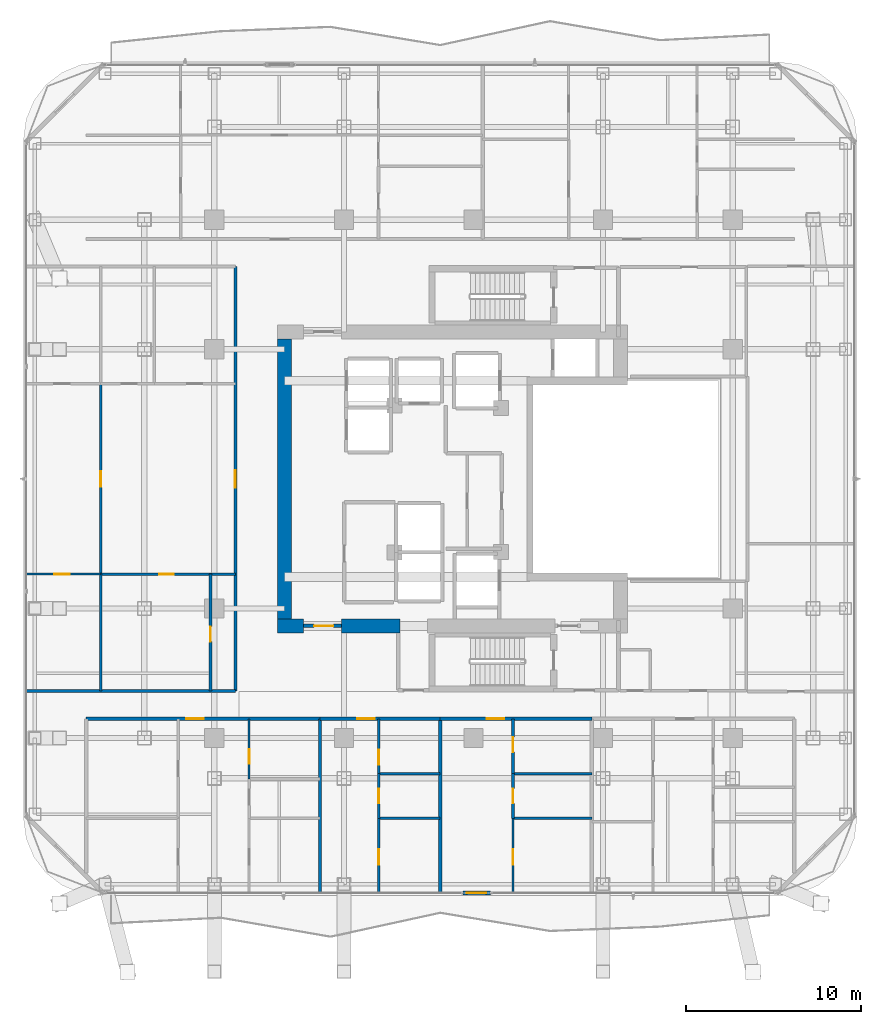
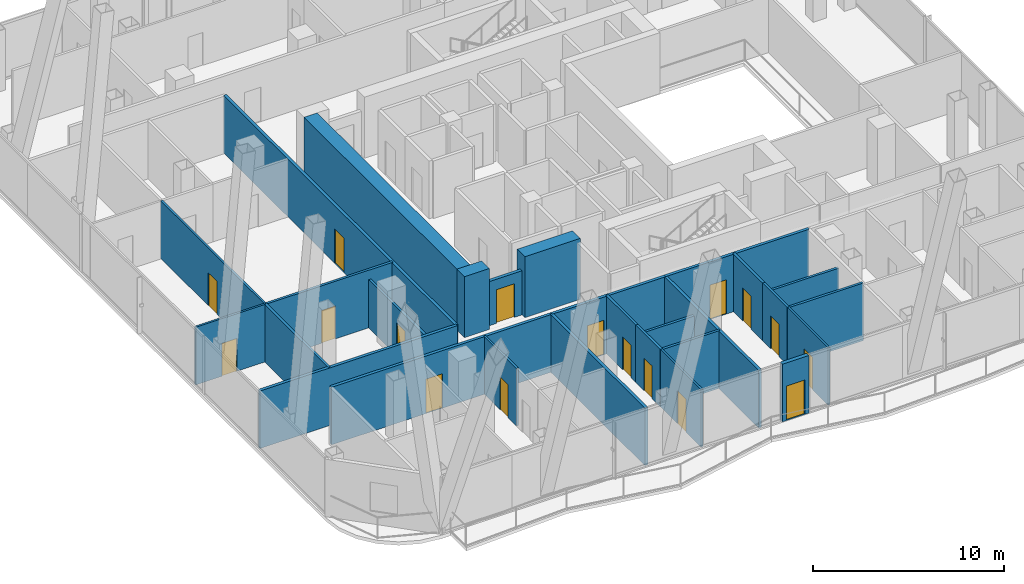
# One storey, part 23 of 34: 28 walls, 17 doors, 17 openings.
"""IFC4 building model written with IfcOpenShell, lengths in metres."""

from ifc_helpers import new_model, si_unit, direction, frame, frame_2d, origin, place, context, subcontext, project, spatial, rectangle, extrude, material, layer, layer_set, type_object, element, fill, save


model = new_model("IFC4")

# Units and contexts
model_context = context("Model", 3, precision=1e-05, world=origin(), true_north=direction((0.0, 1.0)))
body_context = subcontext(model_context, "Body", "Model", "MODEL_VIEW")
ifc_project = project(units=[si_unit("LENGTHUNIT", "METRE"), si_unit("AREAUNIT", "SQUARE_METRE"), si_unit("VOLUMEUNIT", "CUBIC_METRE"), si_unit("PLANEANGLEUNIT", "RADIAN"), si_unit("MASSUNIT", "GRAM", prefix="KILO")], contexts=[model_context])

# Site, building, storey
site_placement = place(None, origin())
site = spatial("IfcSite", under=ifc_project, at=site_placement, CompositionType="ELEMENT")
building_placement = place(site_placement, origin())
building = spatial("IfcBuilding", under=site, at=building_placement, Name="Khorvyn Point Tower", CompositionType="ELEMENT")
storey_placement = place(building_placement, frame((0.0, 0.0, 175.800048828125)))
storey = spatial("IfcBuildingStorey", under=building, at=storey_placement, Name="L43", CompositionType="ELEMENT", Elevation=175.800048828125)

# Wall, opening, door
ifc_material_1 = material(Name="Double acoustic gypsum on twin steel stud", Category="steel")
ifc_layer_1 = layer(ifc_material_1, 0.179931640625)
ifc_layer_set_1 = layer_set([ifc_layer_1], Name="Acoustic Double-Stud Apartment Demising Wall 180")
wall_type_1 = type_object("IfcWallType", Name="Acoustic Double-Stud Apartment Demising Wall 180", PredefinedType="PARTITIONING", material=ifc_layer_set_1)
wall_1_placement = place(storey_placement, frame((-22.1201171875, -13.699951171875, 0.0), z_axis=(0.0, 0.0, 1.0), x_axis=(1.0, 0.0, 0.0)))
wall_1 = element("IfcWall", 1, at=wall_1_placement, inside=storey, type_object=wall_type_1, Name="Wall", PredefinedType="PARTITIONING", context=body_context, shape_type="SweptSolid", body=[
    extrude(rectangle(XDim=13.34521484375, YDim=0.179931640625, at=frame_2d((6.672607421875, 0.0))), origin(), (0.0, 0.0, 1.0), 3.679931640625),
])
opening_1_placement = place(wall_1_placement, frame((5.723876953125, 0.0, 0.0)))
opening_1 = element("IfcOpeningElement", 2, at=opening_1_placement, cuts=wall_1, Name="Opening ID-AP60", PredefinedType="OPENING", context=body_context, shape_type="SweptSolid", body=[
    extrude(rectangle(XDim=1.0, YDim=2.199951171875, at=frame_2d((0.5, 1.10009765625))), frame((0.0, 0.099853515625, 0.0), z_axis=(0.0, -1.0, 0.0), x_axis=(1.0, 0.0, 0.0)), (0.0, 0.0, 1.0), 0.199951171875),
])
ifc_material_2 = material(Name="Engineered hardwood fire-rated leaf", Category="wood")
door_type_1 = type_object("IfcDoorType", Name="Acoustic Solid-Core Timber Apartment Entrance Door 1000x2200", OperationType="NOTDEFINED", PredefinedType="DOOR", material=ifc_material_2)
door_1_placement = place(opening_1_placement, origin())
door_1 = element("IfcDoor", 3, at=door_1_placement, inside=storey, type_object=door_type_1, Name="Door", OperationType="SINGLE_SWING_RIGHT", OverallHeight=2.199951171875, OverallWidth=1.0, PredefinedType="DOOR", context=body_context, shape_type="SweptSolid", body=[
    extrude(rectangle(XDim=1.0, YDim=2.199951171875, at=frame_2d((0.5, 1.10009765625))), frame((0.0, 0.02490234375, 0.0), z_axis=(0.0, -1.0, 0.0), x_axis=(1.0, 0.0, 0.0)), (0.0, 0.0, 1.0), 0.050048828125),
])
fill(opening_1, door_1)

wall_2_placement = place(storey_placement, frame((-8.77490234375, -13.699951171875, 0.0), z_axis=(0.0, 0.0, 1.0), x_axis=(1.0, 0.0, 0.0)))
wall_2 = element("IfcWall", 4, at=wall_2_placement, inside=storey, type_object=wall_type_1, Name="Wall", PredefinedType="PARTITIONING", context=body_context, shape_type="SweptSolid", body=[
    extrude(rectangle(XDim=6.875, YDim=0.179931640625, at=frame_2d((3.4375, 0.0))), origin(), (0.0, 0.0, 1.0), 3.679931640625),
])
opening_2_placement = place(wall_2_placement, frame((2.131103515625, 0.0, 0.0)))
opening_2 = element("IfcOpeningElement", 5, at=opening_2_placement, cuts=wall_2, Name="Opening ID-AP60", PredefinedType="OPENING", context=body_context, shape_type="SweptSolid", body=[
    extrude(rectangle(XDim=1.0, YDim=2.199951171875, at=frame_2d((0.5, 1.10009765625))), frame((0.0, 0.099853515625, 0.0), z_axis=(0.0, -1.0, 0.0), x_axis=(1.0, 0.0, 0.0)), (0.0, 0.0, 1.0), 0.199951171875),
])
door_2_placement = place(opening_2_placement, origin())
door_2 = element("IfcDoor", 6, at=door_2_placement, inside=storey, type_object=door_type_1, Name="Door", OperationType="SINGLE_SWING_RIGHT", OverallHeight=2.199951171875, OverallWidth=1.0, PredefinedType="DOOR", context=body_context, shape_type="SweptSolid", body=[
    extrude(rectangle(XDim=1.0, YDim=2.199951171875, at=frame_2d((0.5, 1.10009765625))), frame((0.0, 0.02490234375, 0.0), z_axis=(0.0, -1.0, 0.0), x_axis=(1.0, 0.0, 0.0)), (0.0, 0.0, 1.0), 0.050048828125),
])
fill(opening_2, door_2)

wall_3_placement = place(storey_placement, frame((-1.89990234375, -13.699951171875, 0.0), z_axis=(0.0, 0.0, 1.0), x_axis=(1.0, 0.0, 0.0)))
wall_3 = element("IfcWall", 7, at=wall_3_placement, inside=storey, type_object=wall_type_1, Name="Wall", PredefinedType="PARTITIONING", context=body_context, shape_type="SweptSolid", body=[
    extrude(rectangle(XDim=8.65380859375, YDim=0.179931640625, at=frame_2d((4.326904296875, 0.0))), origin(), (0.0, 0.0, 1.0), 3.679931640625),
])
opening_3_placement = place(wall_3_placement, frame((2.664306640625, 0.0, 0.0)))
opening_3 = element("IfcOpeningElement", 8, at=opening_3_placement, cuts=wall_3, Name="Opening ID-AP60", PredefinedType="OPENING", context=body_context, shape_type="SweptSolid", body=[
    extrude(rectangle(XDim=1.0, YDim=2.199951171875, at=frame_2d((0.5, 1.10009765625))), frame((0.0, 0.099853515625, 0.0), z_axis=(0.0, -1.0, 0.0), x_axis=(1.0, 0.0, 0.0)), (0.0, 0.0, 1.0), 0.199951171875),
])
door_3_placement = place(opening_3_placement, origin())
door_3 = element("IfcDoor", 9, at=door_3_placement, inside=storey, type_object=door_type_1, Name="Door", OperationType="SINGLE_SWING_RIGHT", OverallHeight=2.199951171875, OverallWidth=1.0, PredefinedType="DOOR", context=body_context, shape_type="SweptSolid", body=[
    extrude(rectangle(XDim=1.0, YDim=2.199951171875, at=frame_2d((0.5, 1.10009765625))), frame((0.0, 0.02490234375, 0.0), z_axis=(0.0, -1.0, 0.0), x_axis=(1.0, 0.0, 0.0)), (0.0, 0.0, 1.0), 0.050048828125),
])
fill(opening_3, door_3)

wall_4_placement = place(storey_placement, frame((-13.60009765625, -12.1201171875, 0.0), z_axis=(0.0, 0.0, 1.0), x_axis=(0.0, 1.0, 0.0)))
wall_4 = element("IfcWall", 10, at=wall_4_placement, inside=storey, type_object=wall_type_1, Name="Wall", PredefinedType="PARTITIONING", context=body_context, shape_type="SweptSolid", body=[
    extrude(rectangle(XDim=24.240234375, YDim=0.179931640625, at=frame_2d((12.1201171875, 0.0))), origin(), (0.0, 0.0, 1.0), 3.679931640625),
])
opening_4_placement = place(wall_4_placement, frame((11.6201171875, 0.0, 0.0)))
opening_4 = element("IfcOpeningElement", 11, at=opening_4_placement, cuts=wall_4, Name="Opening ID-AP60", PredefinedType="OPENING", context=body_context, shape_type="SweptSolid", body=[
    extrude(rectangle(XDim=1.0, YDim=2.199951171875, at=frame_2d((0.5, 1.10009765625))), frame((0.0, 0.099853515625, 0.0), z_axis=(0.0, -1.0, 0.0), x_axis=(1.0, 0.0, 0.0)), (0.0, 0.0, 1.0), 0.199951171875),
])
door_4_placement = place(opening_4_placement, origin())
door_4 = element("IfcDoor", 12, at=door_4_placement, inside=storey, type_object=door_type_1, Name="Door", OperationType="SINGLE_SWING_RIGHT", OverallHeight=2.199951171875, OverallWidth=1.0, PredefinedType="DOOR", context=body_context, shape_type="SweptSolid", body=[
    extrude(rectangle(XDim=1.0, YDim=2.199951171875, at=frame_2d((0.5, 1.10009765625))), frame((0.0, 0.02490234375, 0.0), z_axis=(0.0, -1.0, 0.0), x_axis=(1.0, 0.0, 0.0)), (0.0, 0.0, 1.0), 0.050048828125),
])
fill(opening_4, door_4)

# Walls
for number, where, z_axis, x_axis, name in (
    (13, (-8.77490234375, -23.6298828125, 0.0), (0.0, 0.0, 1.0), (0.0, 1.0, 0.0), "Wall"),
    (14, (-1.89990234375, -23.6298828125, 0.0), (0.0, 0.0, 1.0), (0.0, 1.0, 0.0), "Wall"),
):
    element("IfcWall", number, at=place(storey_placement, frame(where, z_axis=z_axis, x_axis=x_axis)), inside=storey, type_object=wall_type_1, Name=name, PredefinedType="PARTITIONING", context=body_context, shape_type="SweptSolid", body=[
        extrude(rectangle(XDim=9.929931640625, YDim=0.179931640625, at=frame_2d((4.96484375, 0.0))), origin(), (0.0, 0.0, 1.0), 3.679931640625),
    ])
wall_5_placement = place(storey_placement, frame((-25.530029296875, -12.1201171875, 0.0), z_axis=(0.0, 0.0, 1.0), x_axis=(1.0, 0.0, 0.0)))
element("IfcWall", 15, at=wall_5_placement, inside=storey, type_object=wall_type_1, Name="Wall", PredefinedType="PARTITIONING", context=body_context, shape_type="SweptSolid", body=[
    extrude(rectangle(XDim=11.929931640625, YDim=0.179931640625, at=frame_2d((5.96484375, 0.0))), origin(), (0.0, 0.0, 1.0), 3.679931640625),
])

# Wall, opening, door
ifc_material_3 = material(Name="Pale anodised aluminium rainscreen on steel stud", Category="steel")
ifc_layer_2 = layer(ifc_material_3, 0.239990234375)
ifc_layer_set_2 = layer_set([ifc_layer_2], Name="Anodised Aluminium Insulated Corner Spandrel Wall 240")
wall_type_2 = type_object("IfcWallType", Name="Anodised Aluminium Insulated Corner Spandrel Wall 240", PredefinedType="SOLIDWALL", material=ifc_layer_set_2)
wall_6_placement = place(storey_placement, frame((0.967041015625, -23.64990234375, 0.0), z_axis=(0.0, 0.0, 1.0), x_axis=(-1.0, 0.0, 0.0)))
wall_6 = element("IfcWall", 16, at=wall_6_placement, inside=storey, type_object=wall_type_2, Name="L43 South Outdoor Threshold Wall", PredefinedType="SOLIDWALL", context=body_context, shape_type="SweptSolid", body=[
    extrude(rectangle(XDim=1.580078125, YDim=0.239990234375, at=frame_2d((0.7900390625, 0.0))), origin(), (0.0, 0.0, 1.0), 3.679931640625),
])
opening_5_placement = place(wall_6_placement, frame((0.239990234375, 0.0, 0.0)))
opening_5 = element("IfcOpeningElement", 17, at=opening_5_placement, cuts=wall_6, Name="Opening BD-1122", PredefinedType="OPENING", context=body_context, shape_type="SweptSolid", body=[
    extrude(rectangle(XDim=1.10009765625, YDim=2.199951171875, at=frame_2d((0.550048828125, 1.10009765625))), frame((0.0, 0.1298828125, 0.0), z_axis=(0.0, -1.0, 0.0), x_axis=(1.0, 0.0, 0.0)), (0.0, 0.0, 1.0), 0.260009765625),
])
ifc_material_4 = material(Name="Anodised aluminium 6063-T6 and laminated Low-E glass", Category="aluminium")
door_type_2 = type_object("IfcDoorType", Name="Glazed Balcony and Terrace Threshold Door 1100x2200", OperationType="NOTDEFINED", PredefinedType="DOOR", material=ifc_material_4)
door_5_placement = place(opening_5_placement, origin())
door_5 = element("IfcDoor", 18, at=door_5_placement, inside=storey, type_object=door_type_2, Name="L43 South Glazed Balcony Outdoor Door", OperationType="SINGLE_SWING_LEFT", OverallHeight=2.199951171875, OverallWidth=1.10009765625, PredefinedType="DOOR", context=body_context, shape_type="SweptSolid", body=[
    extrude(rectangle(XDim=1.10009765625, YDim=2.199951171875, at=frame_2d((0.550048828125, 1.10009765625))), frame((0.0, 0.02490234375, 0.0), z_axis=(0.0, -1.0, 0.0), x_axis=(1.0, 0.0, 0.0)), (0.0, 0.0, 1.0), 0.050048828125),
])
fill(opening_5, door_5)

ifc_material_5 = material(Name="Concrete C40/50", Category="concrete")
ifc_layer_3 = layer(ifc_material_5, 0.199951171875)
ifc_layer_set_3 = layer_set([ifc_layer_3], Name="Concrete C40/50 Fire-Lobby Compartment Wall 200")
wall_type_3 = type_object("IfcWallType", Name="Concrete C40/50 Fire-Lobby Compartment Wall 200", PredefinedType="SOLIDWALL", material=ifc_layer_set_3)
wall_7_placement = place(storey_placement, frame((-9.699951171875, -8.39990234375, 0.0), z_axis=(0.0, 0.0, 1.0), x_axis=(1.0, 0.0, 0.0)))
wall_7 = element("IfcWall", 19, at=wall_7_placement, inside=storey, type_object=wall_type_3, Name="Wall", PredefinedType="SOLIDWALL", context=body_context, shape_type="SweptSolid", body=[
    extrude(rectangle(XDim=2.14990234375, YDim=0.199951171875, at=frame_2d((1.074951171875, 0.0))), origin(), (0.0, 0.0, 1.0), 2.820068359375),
])
opening_6_placement = place(wall_7_placement, frame((0.597900390625, 0.0, 0.0)))
opening_6 = element("IfcOpeningElement", 20, at=opening_6_placement, cuts=wall_7, Name="Opening ID-FL90", PredefinedType="OPENING", context=body_context, shape_type="SweptSolid", body=[
    extrude(rectangle(XDim=1.10009765625, YDim=2.14990234375, at=frame_2d((0.550048828125, 1.074951171875))), frame((0.0, 0.10986328125, 0.0), z_axis=(0.0, -1.0, 0.0), x_axis=(1.0, 0.0, 0.0)), (0.0, 0.0, 1.0), 0.219970703125),
])
ifc_material_6 = material(Name="Galvanised powder-coated steel", Category="steel")
door_type_3 = type_object("IfcDoorType", Name="Fire-Rated Steel Lobby and Stair Door 1100x2150", OperationType="NOTDEFINED", PredefinedType="DOOR", material=ifc_material_6)
door_6_placement = place(opening_6_placement, origin())
door_6 = element("IfcDoor", 21, at=door_6_placement, inside=storey, type_object=door_type_3, Name="Door", OperationType="SINGLE_SWING_RIGHT", OverallHeight=2.14990234375, OverallWidth=1.10009765625, PredefinedType="DOOR", context=body_context, shape_type="SweptSolid", body=[
    extrude(rectangle(XDim=1.10009765625, YDim=2.14990234375, at=frame_2d((0.550048828125, 1.074951171875))), frame((0.0, 0.02490234375, 0.0), z_axis=(0.0, -1.0, 0.0), x_axis=(1.0, 0.0, 0.0)), (0.0, 0.0, 1.0), 0.050048828125),
])
fill(opening_6, door_6)

# Walls
ifc_material_7 = material(Name="Concrete C45/55", Category="concrete")
ifc_layer_4 = layer(ifc_material_7, 0.800048828125)
ifc_layer_set_4 = layer_set([ifc_layer_4], Name="Concrete C45/55 Core Shear Wall 800")
wall_type_4 = type_object("IfcWallType", Name="Concrete C45/55 Core Shear Wall 800", PredefinedType="SHEAR", material=ifc_layer_set_4)
wall_8_placement = place(storey_placement, frame((-11.199951171875, -8.39990234375, 0.0), z_axis=(0.0, 0.0, 1.0), x_axis=(1.0, 0.0, 0.0)))
element("IfcWall", 22, at=wall_8_placement, inside=storey, type_object=wall_type_4, Name="Wall", PredefinedType="SHEAR", context=body_context, shape_type="SweptSolid", body=[
    extrude(rectangle(XDim=1.5, YDim=0.800048828125, at=frame_2d((0.75, 0.0))), origin(), (0.0, 0.0, 1.0), 3.89990234375),
])
wall_9_placement = place(storey_placement, frame((-7.550048828125, -8.39990234375, 0.0), z_axis=(0.0, 0.0, 1.0), x_axis=(1.0, 0.0, 0.0)))
element("IfcWall", 23, at=wall_9_placement, inside=storey, type_object=wall_type_4, Name="Wall", PredefinedType="SHEAR", context=body_context, shape_type="SweptSolid", body=[
    extrude(rectangle(XDim=3.35009765625, YDim=0.800048828125, at=frame_2d((1.675048828125, 0.0))), origin(), (0.0, 0.0, 1.0), 3.89990234375),
])
wall_10_placement = place(storey_placement, frame((-10.800048828125, -8.0, 0.0), z_axis=(0.0, 0.0, 1.0), x_axis=(0.0, 1.0, 0.0)))
element("IfcWall", 24, at=wall_10_placement, inside=storey, type_object=wall_type_4, Name="Wall", PredefinedType="SHEAR", context=body_context, shape_type="SweptSolid", body=[
    extrude(rectangle(XDim=16.0, YDim=0.800048828125, at=frame_2d((8.0, 0.0))), origin(), (0.0, 0.0, 1.0), 3.89990234375),
])

# Wall, opening, door
ifc_material_8 = material(Name="Gypsum plasterboard on steel stud", Category="steel")
ifc_layer_5 = layer(ifc_material_8, 0.1201171875)
ifc_layer_set_5 = layer_set([ifc_layer_5], Name="Gypsum Acoustic Stud Room Partition Wall 120")
wall_type_5 = type_object("IfcWallType", Name="Gypsum Acoustic Stud Room Partition Wall 120", PredefinedType="PARTITIONING", material=ifc_layer_set_5)
wall_11_placement = place(storey_placement, frame((-12.81591796875, -17.136962890625, 0.0), z_axis=(0.0, 0.0, 1.0), x_axis=(0.0, 1.0, 0.0)))
wall_11 = element("IfcWall", 25, at=wall_11_placement, inside=storey, type_object=wall_type_5, Name="Wall", PredefinedType="PARTITIONING", context=body_context, shape_type="SweptSolid", body=[
    extrude(rectangle(XDim=3.43701171875, YDim=0.1201171875, at=frame_2d((1.718505859375, 0.0))), origin(), (0.0, 0.0, 1.0), 3.679931640625),
])
opening_7_placement = place(wall_11_placement, frame((0.857421875, 0.0, 0.0)))
opening_7 = element("IfcOpeningElement", 26, at=opening_7_placement, cuts=wall_11, Name="Opening ID-WC85", PredefinedType="OPENING", context=body_context, shape_type="SweptSolid", body=[
    extrude(rectangle(XDim=0.85009765625, YDim=2.10009765625, at=frame_2d((0.425048828125, 1.050048828125))), frame((0.0, 0.070068359375, 0.0), z_axis=(0.0, -1.0, 0.0), x_axis=(1.0, 0.0, 0.0)), (0.0, 0.0, 1.0), 0.14013671875),
])
ifc_material_9 = material(Name="High-pressure laminate on moisture-resistant core", Category="wood")
door_type_4 = type_object("IfcDoorType", Name="Moisture-Resistant Accessible Washroom Door 850x2100", OperationType="NOTDEFINED", PredefinedType="DOOR", material=ifc_material_9)
door_7_placement = place(opening_7_placement, origin())
door_7 = element("IfcDoor", 27, at=door_7_placement, inside=storey, type_object=door_type_4, Name="Door", OperationType="SINGLE_SWING_RIGHT", OverallHeight=2.10009765625, OverallWidth=0.85009765625, PredefinedType="DOOR", context=body_context, shape_type="SweptSolid", body=[
    extrude(rectangle(XDim=0.85009765625, YDim=2.10009765625, at=frame_2d((0.425048828125, 1.050048828125))), frame((0.0, 0.02490234375, 0.0), z_axis=(0.0, -1.0, 0.0), x_axis=(1.0, 0.0, 0.0)), (0.0, 0.0, 1.0), 0.050048828125),
])
fill(opening_7, door_7)

wall_12_placement = place(storey_placement, frame((-5.4140625, -23.6298828125, 0.0), z_axis=(0.0, 0.0, 1.0), x_axis=(0.0, 1.0, 0.0)))
wall_12 = element("IfcWall", 28, at=wall_12_placement, inside=storey, type_object=wall_type_5, Name="Wall", PredefinedType="PARTITIONING", context=body_context, shape_type="SweptSolid", body=[
    extrude(rectangle(XDim=4.239990234375, YDim=0.1201171875, at=frame_2d((2.1201171875, 0.0))), origin(), (0.0, 0.0, 1.0), 3.679931640625),
])
opening_8_placement = place(wall_12_placement, frame((1.581298828125, 0.0, 0.0)))
opening_8 = element("IfcOpeningElement", 29, at=opening_8_placement, cuts=wall_12, Name="Opening ID-RM90", PredefinedType="OPENING", context=body_context, shape_type="SweptSolid", body=[
    extrude(rectangle(XDim=0.89990234375, YDim=2.10009765625, at=frame_2d((0.449951171875, 1.050048828125))), frame((0.0, 0.070068359375, 0.0), z_axis=(0.0, -1.0, 0.0), x_axis=(1.0, 0.0, 0.0)), (0.0, 0.0, 1.0), 0.14013671875),
])
ifc_material_10 = material(Name="Engineered oak veneer timber", Category="wood")
door_type_5 = type_object("IfcDoorType", Name="Flush Engineered Timber Room Door 900x2100", OperationType="NOTDEFINED", PredefinedType="DOOR", material=ifc_material_10)
door_8_placement = place(opening_8_placement, origin())
door_8 = element("IfcDoor", 30, at=door_8_placement, inside=storey, type_object=door_type_5, Name="Door", OperationType="SINGLE_SWING_LEFT", OverallHeight=2.10009765625, OverallWidth=0.89990234375, PredefinedType="DOOR", context=body_context, shape_type="SweptSolid", body=[
    extrude(rectangle(XDim=0.89990234375, YDim=2.10009765625, at=frame_2d((0.449951171875, 1.050048828125))), frame((0.0, 0.02490234375, 0.0), z_axis=(0.0, -1.0, 0.0), x_axis=(1.0, 0.0, 0.0)), (0.0, 0.0, 1.0), 0.050048828125),
])
fill(opening_8, door_8)

wall_13_placement = place(storey_placement, frame((2.25390625, -23.6298828125, 0.0), z_axis=(0.0, 0.0, 1.0), x_axis=(0.0, 1.0, 0.0)))
wall_13 = element("IfcWall", 31, at=wall_13_placement, inside=storey, type_object=wall_type_5, Name="Wall", PredefinedType="PARTITIONING", context=body_context, shape_type="SweptSolid", body=[
    extrude(rectangle(XDim=4.239990234375, YDim=0.1201171875, at=frame_2d((2.1201171875, 0.0))), origin(), (0.0, 0.0, 1.0), 3.679931640625),
])
opening_9_placement = place(wall_13_placement, frame((1.581298828125, 0.0, 0.0)))
opening_9 = element("IfcOpeningElement", 32, at=opening_9_placement, cuts=wall_13, Name="Opening ID-RM90", PredefinedType="OPENING", context=body_context, shape_type="SweptSolid", body=[
    extrude(rectangle(XDim=0.89990234375, YDim=2.10009765625, at=frame_2d((0.449951171875, 1.050048828125))), frame((0.0, 0.070068359375, 0.0), z_axis=(0.0, -1.0, 0.0), x_axis=(1.0, 0.0, 0.0)), (0.0, 0.0, 1.0), 0.14013671875),
])
door_9_placement = place(opening_9_placement, origin())
door_9 = element("IfcDoor", 33, at=door_9_placement, inside=storey, type_object=door_type_5, Name="Door", OperationType="SINGLE_SWING_LEFT", OverallHeight=2.10009765625, OverallWidth=0.89990234375, PredefinedType="DOOR", context=body_context, shape_type="SweptSolid", body=[
    extrude(rectangle(XDim=0.89990234375, YDim=2.10009765625, at=frame_2d((0.449951171875, 1.050048828125))), frame((0.0, 0.02490234375, 0.0), z_axis=(0.0, -1.0, 0.0), x_axis=(1.0, 0.0, 0.0)), (0.0, 0.0, 1.0), 0.050048828125),
])
fill(opening_9, door_9)

wall_14_placement = place(storey_placement, frame((-21.2900390625, -5.43603515625, 0.0), z_axis=(0.0, 0.0, 1.0), x_axis=(0.0, 1.0, 0.0)))
wall_14 = element("IfcWall", 34, at=wall_14_placement, inside=storey, type_object=wall_type_5, Name="Wall", PredefinedType="PARTITIONING", context=body_context, shape_type="SweptSolid", body=[
    extrude(rectangle(XDim=10.8720703125, YDim=0.1201171875, at=frame_2d((5.43603515625, 0.0))), origin(), (0.0, 0.0, 1.0), 3.679931640625),
])
opening_10_placement = place(wall_14_placement, frame((4.986083984375, 0.0, 0.0)))
opening_10 = element("IfcOpeningElement", 35, at=opening_10_placement, cuts=wall_14, Name="Opening ID-RM90", PredefinedType="OPENING", context=body_context, shape_type="SweptSolid", body=[
    extrude(rectangle(XDim=0.89990234375, YDim=2.10009765625, at=frame_2d((0.449951171875, 1.050048828125))), frame((0.0, 0.070068359375, 0.0), z_axis=(0.0, -1.0, 0.0), x_axis=(1.0, 0.0, 0.0)), (0.0, 0.0, 1.0), 0.14013671875),
])
door_10_placement = place(opening_10_placement, origin())
door_10 = element("IfcDoor", 36, at=door_10_placement, inside=storey, type_object=door_type_5, Name="Door", OperationType="SINGLE_SWING_LEFT", OverallHeight=2.10009765625, OverallWidth=0.89990234375, PredefinedType="DOOR", context=body_context, shape_type="SweptSolid", body=[
    extrude(rectangle(XDim=0.89990234375, YDim=2.10009765625, at=frame_2d((0.449951171875, 1.050048828125))), frame((0.0, 0.02490234375, 0.0), z_axis=(0.0, -1.0, 0.0), x_axis=(1.0, 0.0, 0.0)), (0.0, 0.0, 1.0), 0.050048828125),
])
fill(opening_10, door_10)

wall_15_placement = place(storey_placement, frame((-25.530029296875, -5.43603515625, 0.0), z_axis=(0.0, 0.0, 1.0), x_axis=(1.0, 0.0, 0.0)))
wall_15 = element("IfcWall", 37, at=wall_15_placement, inside=storey, type_object=wall_type_5, Name="Wall", PredefinedType="PARTITIONING", context=body_context, shape_type="SweptSolid", body=[
    extrude(rectangle(XDim=4.239990234375, YDim=0.1201171875, at=frame_2d((2.1201171875, 0.0))), origin(), (0.0, 0.0, 1.0), 3.679931640625),
])
opening_11_placement = place(wall_15_placement, frame((1.581298828125, 0.0, 0.0)))
opening_11 = element("IfcOpeningElement", 38, at=opening_11_placement, cuts=wall_15, Name="Opening ID-RM90", PredefinedType="OPENING", context=body_context, shape_type="SweptSolid", body=[
    extrude(rectangle(XDim=0.89990234375, YDim=2.10009765625, at=frame_2d((0.449951171875, 1.050048828125))), frame((0.0, 0.070068359375, 0.0), z_axis=(0.0, -1.0, 0.0), x_axis=(1.0, 0.0, 0.0)), (0.0, 0.0, 1.0), 0.14013671875),
])
door_11_placement = place(opening_11_placement, origin())
door_11 = element("IfcDoor", 39, at=door_11_placement, inside=storey, type_object=door_type_5, Name="Door", OperationType="SINGLE_SWING_RIGHT", OverallHeight=2.10009765625, OverallWidth=0.89990234375, PredefinedType="DOOR", context=body_context, shape_type="SweptSolid", body=[
    extrude(rectangle(XDim=0.89990234375, YDim=2.10009765625, at=frame_2d((0.449951171875, 1.050048828125))), frame((0.0, 0.02490234375, 0.0), z_axis=(0.0, -1.0, 0.0), x_axis=(1.0, 0.0, 0.0)), (0.0, 0.0, 1.0), 0.050048828125),
])
fill(opening_11, door_11)

ifc_material_11 = material(Name="Moisture-resistant gypsum and cement board", Category="gypsum")
ifc_layer_6 = layer(ifc_material_11, 0.14990234375)
ifc_layer_set_6 = layer_set([ifc_layer_6], Name="Moisture-Resistant Wet-Room Partition Wall 150")
wall_type_6 = type_object("IfcWallType", Name="Moisture-Resistant Wet-Room Partition Wall 150", PredefinedType="PARTITIONING", material=ifc_layer_set_6)
wall_16_placement = place(storey_placement, frame((-5.4140625, -16.8291015625, 0.0), z_axis=(0.0, 0.0, 1.0), x_axis=(0.0, 1.0, 0.0)))
wall_16 = element("IfcWall", 40, at=wall_16_placement, inside=storey, type_object=wall_type_6, Name="Wall", PredefinedType="PARTITIONING", context=body_context, shape_type="SweptSolid", body=[
    extrude(rectangle(XDim=3.129150390625, YDim=0.14990234375, at=frame_2d((1.564453125, 0.0))), origin(), (0.0, 0.0, 1.0), 3.679931640625),
])
opening_12_placement = place(wall_16_placement, frame((0.51611328125, 0.0, 0.0)))
opening_12 = element("IfcOpeningElement", 41, at=opening_12_placement, cuts=wall_16, Name="Opening ID-WC85", PredefinedType="OPENING", context=body_context, shape_type="SweptSolid", body=[
    extrude(rectangle(XDim=0.85009765625, YDim=2.10009765625, at=frame_2d((0.425048828125, 1.050048828125))), frame((0.0, 0.0849609375, 0.0), z_axis=(0.0, -1.0, 0.0), x_axis=(1.0, 0.0, 0.0)), (0.0, 0.0, 1.0), 0.169921875),
])
door_12_placement = place(opening_12_placement, origin())
door_12 = element("IfcDoor", 42, at=door_12_placement, inside=storey, type_object=door_type_4, Name="Door", OperationType="SINGLE_SWING_LEFT", OverallHeight=2.10009765625, OverallWidth=0.85009765625, PredefinedType="DOOR", context=body_context, shape_type="SweptSolid", body=[
    extrude(rectangle(XDim=0.85009765625, YDim=2.10009765625, at=frame_2d((0.425048828125, 1.050048828125))), frame((0.0, 0.02490234375, 0.0), z_axis=(0.0, -1.0, 0.0), x_axis=(1.0, 0.0, 0.0)), (0.0, 0.0, 1.0), 0.050048828125),
])
fill(opening_12, door_12)

wall_17_placement = place(storey_placement, frame((-5.4140625, -19.389892578125, 0.0), z_axis=(0.0, 0.0, 1.0), x_axis=(0.0, 1.0, 0.0)))
wall_17 = element("IfcWall", 43, at=wall_17_placement, inside=storey, type_object=wall_type_6, Name="Wall", PredefinedType="PARTITIONING", context=body_context, shape_type="SweptSolid", body=[
    extrude(rectangle(XDim=2.560791015625, YDim=0.14990234375, at=frame_2d((1.2802734375, 0.0))), origin(), (0.0, 0.0, 1.0), 3.679931640625),
])
opening_13_placement = place(wall_17_placement, frame((0.85546875, 0.0, 0.0)))
opening_13 = element("IfcOpeningElement", 44, at=opening_13_placement, cuts=wall_17, Name="Opening ID-WC85", PredefinedType="OPENING", context=body_context, shape_type="SweptSolid", body=[
    extrude(rectangle(XDim=0.85009765625, YDim=2.10009765625, at=frame_2d((0.425048828125, 1.050048828125))), frame((0.0, 0.0849609375, 0.0), z_axis=(0.0, -1.0, 0.0), x_axis=(1.0, 0.0, 0.0)), (0.0, 0.0, 1.0), 0.169921875),
])
door_13_placement = place(opening_13_placement, origin())
door_13 = element("IfcDoor", 45, at=door_13_placement, inside=storey, type_object=door_type_4, Name="Door", OperationType="SINGLE_SWING_RIGHT", OverallHeight=2.10009765625, OverallWidth=0.85009765625, PredefinedType="DOOR", context=body_context, shape_type="SweptSolid", body=[
    extrude(rectangle(XDim=0.85009765625, YDim=2.10009765625, at=frame_2d((0.425048828125, 1.050048828125))), frame((0.0, 0.02490234375, 0.0), z_axis=(0.0, -1.0, 0.0), x_axis=(1.0, 0.0, 0.0)), (0.0, 0.0, 1.0), 0.050048828125),
])
fill(opening_13, door_13)

wall_18_placement = place(storey_placement, frame((2.25390625, -16.8291015625, 0.0), z_axis=(0.0, 0.0, 1.0), x_axis=(0.0, 1.0, 0.0)))
wall_18 = element("IfcWall", 46, at=wall_18_placement, inside=storey, type_object=wall_type_6, Name="Wall", PredefinedType="PARTITIONING", context=body_context, shape_type="SweptSolid", body=[
    extrude(rectangle(XDim=3.129150390625, YDim=0.14990234375, at=frame_2d((1.564453125, 0.0))), origin(), (0.0, 0.0, 1.0), 3.679931640625),
])
opening_14_placement = place(wall_18_placement, frame((1.228515625, 0.0, 0.0)))
opening_14 = element("IfcOpeningElement", 47, at=opening_14_placement, cuts=wall_18, Name="Opening ID-WC85", PredefinedType="OPENING", context=body_context, shape_type="SweptSolid", body=[
    extrude(rectangle(XDim=0.85009765625, YDim=2.10009765625, at=frame_2d((0.425048828125, 1.050048828125))), frame((0.0, 0.0849609375, 0.0), z_axis=(0.0, -1.0, 0.0), x_axis=(1.0, 0.0, 0.0)), (0.0, 0.0, 1.0), 0.169921875),
])
door_14_placement = place(opening_14_placement, origin())
door_14 = element("IfcDoor", 48, at=door_14_placement, inside=storey, type_object=door_type_4, Name="Door", OperationType="SINGLE_SWING_LEFT", OverallHeight=2.10009765625, OverallWidth=0.85009765625, PredefinedType="DOOR", context=body_context, shape_type="SweptSolid", body=[
    extrude(rectangle(XDim=0.85009765625, YDim=2.10009765625, at=frame_2d((0.425048828125, 1.050048828125))), frame((0.0, 0.02490234375, 0.0), z_axis=(0.0, -1.0, 0.0), x_axis=(1.0, 0.0, 0.0)), (0.0, 0.0, 1.0), 0.050048828125),
])
fill(opening_14, door_14)

wall_19_placement = place(storey_placement, frame((2.25390625, -19.389892578125, 0.0), z_axis=(0.0, 0.0, 1.0), x_axis=(0.0, 1.0, 0.0)))
wall_19 = element("IfcWall", 49, at=wall_19_placement, inside=storey, type_object=wall_type_6, Name="Wall", PredefinedType="PARTITIONING", context=body_context, shape_type="SweptSolid", body=[
    extrude(rectangle(XDim=2.560791015625, YDim=0.14990234375, at=frame_2d((1.2802734375, 0.0))), origin(), (0.0, 0.0, 1.0), 3.679931640625),
])
opening_15_placement = place(wall_19_placement, frame((0.85546875, 0.0, 0.0)))
opening_15 = element("IfcOpeningElement", 50, at=opening_15_placement, cuts=wall_19, Name="Opening ID-WC85", PredefinedType="OPENING", context=body_context, shape_type="SweptSolid", body=[
    extrude(rectangle(XDim=0.85009765625, YDim=2.10009765625, at=frame_2d((0.425048828125, 1.050048828125))), frame((0.0, 0.0849609375, 0.0), z_axis=(0.0, -1.0, 0.0), x_axis=(1.0, 0.0, 0.0)), (0.0, 0.0, 1.0), 0.169921875),
])
door_15_placement = place(opening_15_placement, origin())
door_15 = element("IfcDoor", 51, at=door_15_placement, inside=storey, type_object=door_type_4, Name="Door", OperationType="SINGLE_SWING_RIGHT", OverallHeight=2.10009765625, OverallWidth=0.85009765625, PredefinedType="DOOR", context=body_context, shape_type="SweptSolid", body=[
    extrude(rectangle(XDim=0.85009765625, YDim=2.10009765625, at=frame_2d((0.425048828125, 1.050048828125))), frame((0.0, 0.02490234375, 0.0), z_axis=(0.0, -1.0, 0.0), x_axis=(1.0, 0.0, 0.0)), (0.0, 0.0, 1.0), 0.050048828125),
])
fill(opening_15, door_15)

wall_20_placement = place(storey_placement, frame((-15.02001953125, -12.1201171875, 0.0), z_axis=(0.0, 0.0, 1.0), x_axis=(0.0, 1.0, 0.0)))
wall_20 = element("IfcWall", 52, at=wall_20_placement, inside=storey, type_object=wall_type_6, Name="Wall", PredefinedType="PARTITIONING", context=body_context, shape_type="SweptSolid", body=[
    extrude(rectangle(XDim=6.68408203125, YDim=0.14990234375, at=frame_2d((3.342041015625, 0.0))), origin(), (0.0, 0.0, 1.0), 3.08203125),
])
opening_16_placement = place(wall_20_placement, frame((2.828125, 0.0, 0.0)))
opening_16 = element("IfcOpeningElement", 53, at=opening_16_placement, cuts=wall_20, Name="Opening ID-WC85", PredefinedType="OPENING", context=body_context, shape_type="SweptSolid", body=[
    extrude(rectangle(XDim=0.85009765625, YDim=2.10009765625, at=frame_2d((0.425048828125, 1.050048828125))), frame((0.0, 0.0849609375, 0.0), z_axis=(0.0, -1.0, 0.0), x_axis=(1.0, 0.0, 0.0)), (0.0, 0.0, 1.0), 0.169921875),
])
door_16_placement = place(opening_16_placement, origin())
door_16 = element("IfcDoor", 54, at=door_16_placement, inside=storey, type_object=door_type_4, Name="Door", OperationType="SINGLE_SWING_RIGHT", OverallHeight=2.10009765625, OverallWidth=0.85009765625, PredefinedType="DOOR", context=body_context, shape_type="SweptSolid", body=[
    extrude(rectangle(XDim=0.85009765625, YDim=2.10009765625, at=frame_2d((0.425048828125, 1.050048828125))), frame((0.0, 0.02490234375, 0.0), z_axis=(0.0, -1.0, 0.0), x_axis=(1.0, 0.0, 0.0)), (0.0, 0.0, 1.0), 0.050048828125),
])
fill(opening_16, door_16)

wall_21_placement = place(storey_placement, frame((-21.2900390625, -5.43603515625, 0.0), z_axis=(0.0, 0.0, 1.0), x_axis=(1.0, 0.0, 0.0)))
wall_21 = element("IfcWall", 55, at=wall_21_placement, inside=storey, type_object=wall_type_6, Name="Wall", PredefinedType="PARTITIONING", context=body_context, shape_type="SweptSolid", body=[
    extrude(rectangle(XDim=7.68994140625, YDim=0.14990234375, at=frame_2d((3.844970703125, 0.0))), origin(), (0.0, 0.0, 1.0), 3.679931640625),
])
opening_17_placement = place(wall_21_placement, frame((3.331787109375, 0.0, 0.0)))
opening_17 = element("IfcOpeningElement", 56, at=opening_17_placement, cuts=wall_21, Name="Opening ID-WC85", PredefinedType="OPENING", context=body_context, shape_type="SweptSolid", body=[
    extrude(rectangle(XDim=0.85009765625, YDim=2.10009765625, at=frame_2d((0.425048828125, 1.050048828125))), frame((0.0, 0.0849609375, 0.0), z_axis=(0.0, -1.0, 0.0), x_axis=(1.0, 0.0, 0.0)), (0.0, 0.0, 1.0), 0.169921875),
])
door_17_placement = place(opening_17_placement, origin())
door_17 = element("IfcDoor", 57, at=door_17_placement, inside=storey, type_object=door_type_4, Name="Door", OperationType="SINGLE_SWING_LEFT", OverallHeight=2.10009765625, OverallWidth=0.85009765625, PredefinedType="DOOR", context=body_context, shape_type="SweptSolid", body=[
    extrude(rectangle(XDim=0.85009765625, YDim=2.10009765625, at=frame_2d((0.425048828125, 1.050048828125))), frame((0.0, 0.02490234375, 0.0), z_axis=(0.0, -1.0, 0.0), x_axis=(1.0, 0.0, 0.0)), (0.0, 0.0, 1.0), 0.050048828125),
])
fill(opening_17, door_17)

# Walls
wall_22_placement = place(storey_placement, frame((-5.4140625, -16.8291015625, 0.0), z_axis=(0.0, 0.0, 1.0), x_axis=(1.0, 0.0, 0.0)))
element("IfcWall", 58, at=wall_22_placement, inside=storey, type_object=wall_type_6, Name="Wall", PredefinedType="PARTITIONING", context=body_context, shape_type="SweptSolid", body=[
    extrude(rectangle(XDim=3.51416015625, YDim=0.14990234375, at=frame_2d((1.757080078125, 0.0))), origin(), (0.0, 0.0, 1.0), 3.08203125),
])
wall_23_placement = place(storey_placement, frame((-5.4140625, -19.389892578125, 0.0), z_axis=(0.0, 0.0, 1.0), x_axis=(1.0, 0.0, 0.0)))
element("IfcWall", 59, at=wall_23_placement, inside=storey, type_object=wall_type_6, Name="Wall", PredefinedType="PARTITIONING", context=body_context, shape_type="SweptSolid", body=[
    extrude(rectangle(XDim=3.51416015625, YDim=0.14990234375, at=frame_2d((1.757080078125, 0.0))), origin(), (0.0, 0.0, 1.0), 3.679931640625),
])
wall_24_placement = place(storey_placement, frame((2.25390625, -16.8291015625, 0.0), z_axis=(0.0, 0.0, 1.0), x_axis=(1.0, 0.0, 0.0)))
element("IfcWall", 60, at=wall_24_placement, inside=storey, type_object=wall_type_6, Name="Wall", PredefinedType="PARTITIONING", context=body_context, shape_type="SweptSolid", body=[
    extrude(rectangle(XDim=4.5, YDim=0.14990234375, at=frame_2d((2.25, 0.0))), origin(), (0.0, 0.0, 1.0), 3.08203125),
])
wall_25_placement = place(storey_placement, frame((2.25390625, -19.389892578125, 0.0), z_axis=(0.0, 0.0, 1.0), x_axis=(1.0, 0.0, 0.0)))
element("IfcWall", 61, at=wall_25_placement, inside=storey, type_object=wall_type_6, Name="Wall", PredefinedType="PARTITIONING", context=body_context, shape_type="SweptSolid", body=[
    extrude(rectangle(XDim=4.5, YDim=0.14990234375, at=frame_2d((2.25, 0.0))), origin(), (0.0, 0.0, 1.0), 3.679931640625),
])
wall_26_placement = place(storey_placement, frame((-21.2900390625, -12.1201171875, 0.0), z_axis=(0.0, 0.0, 1.0), x_axis=(0.0, 1.0, 0.0)))
element("IfcWall", 62, at=wall_26_placement, inside=storey, type_object=wall_type_6, Name="Wall", PredefinedType="PARTITIONING", context=body_context, shape_type="SweptSolid", body=[
    extrude(rectangle(XDim=6.68408203125, YDim=0.14990234375, at=frame_2d((3.342041015625, 0.0))), origin(), (0.0, 0.0, 1.0), 3.679931640625),
])

save(model, "model.ifc")
